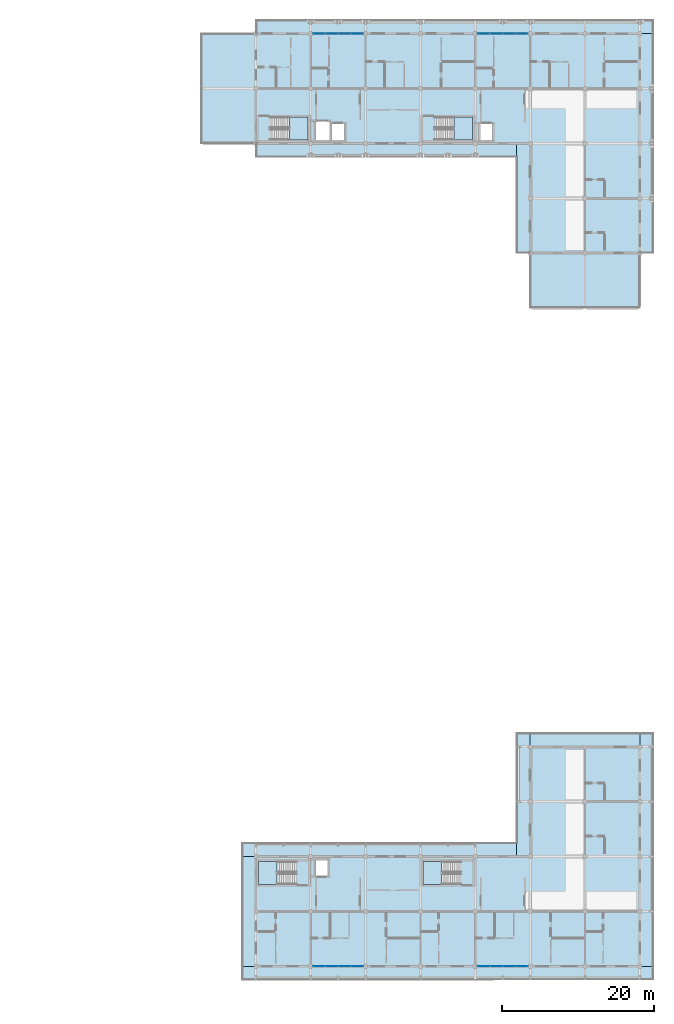
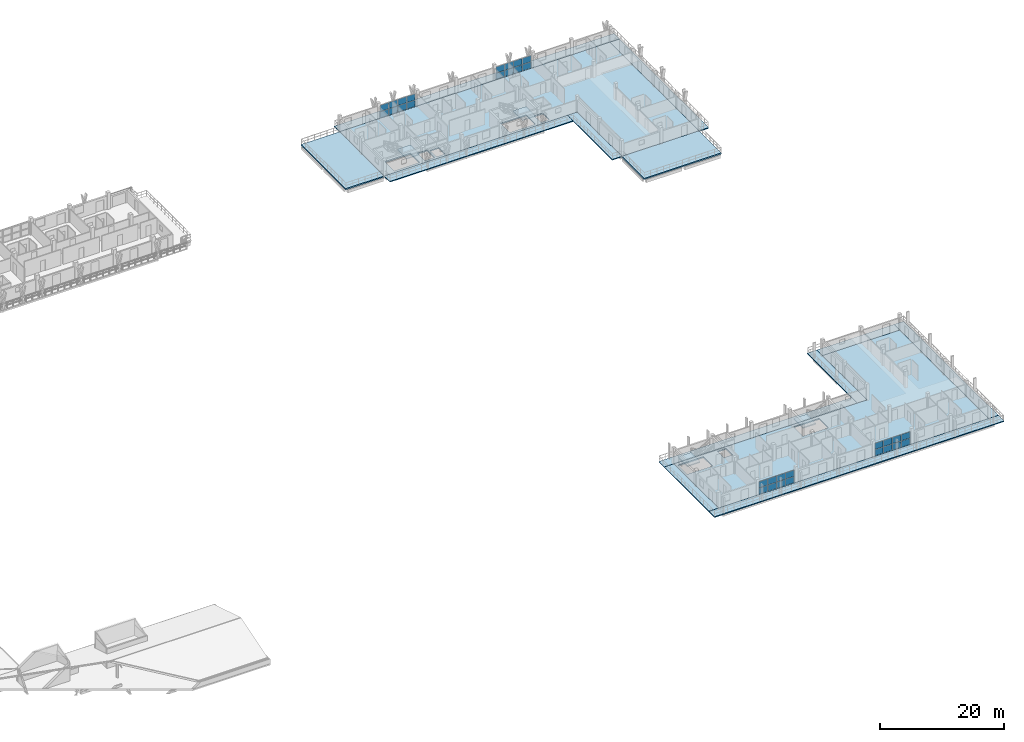
# One storey, part 31 of 60: 32 plates, 18 slabs, 8 elements without a shape of their own.
"""IFC4 building model written with IfcOpenShell, lengths in metres."""

import ifcopenshell
import ifcopenshell.guid

model = None  # the IFC model being written
_history = None  # IfcOwnerHistory: only IFC2X3 demands one
_inside = {}  # id of a spatial element -> (the spatial element, [elements in it])
_under = {}  # id of a project, library or spatial element -> (it, [spatial elements below it])
_declared = {}  # id of a project -> (the project, [libraries it declares])
_typed = {}  # id of a type object -> (the type object, [elements of that type])
_made_of = {}  # id of a material, layer set ... -> (it, [elements and type objects made of it])


def new_model(schema):
    """Start an empty IFC model of exactly this schema.

    Asked for "IFC4X3", IfcOpenShell would pick the latest addendum, in which some entities
    have other attributes; the version numbers below select the first issue.
    IFC2X3 requires an IfcOwnerHistory on every rooted entity: one is made here for all.
    """
    global model, _history
    if schema == "IFC4X3":
        model = ifcopenshell.file(schema_version=(4, 3, 0, 0))
    else:
        model = ifcopenshell.file(schema=schema)
    _inside.clear()
    _under.clear()
    _declared.clear()
    _typed.clear()
    _made_of.clear()
    _history = None
    if model.schema == "IFC2X3":
        org = make("IfcOrganization", Name="unknown")
        user = make(
            "IfcPersonAndOrganization",
            ThePerson=make("IfcPerson", FamilyName="unknown"),
            TheOrganization=org,
        )
        app = make(
            "IfcApplication",
            ApplicationDeveloper=org,
            Version="unknown",
            ApplicationFullName="unknown",
            ApplicationIdentifier="unknown",
        )
        _history = make(
            "IfcOwnerHistory",
            OwningUser=user,
            OwningApplication=app,
            ChangeAction="ADDED",
            CreationDate=0,
        )
    return model


def make(cls, **values):
    """One entity of the class cls with the attributes given. An attribute that is None is left unset."""
    return model.create_entity(
        cls, **{name: value for name, value in values.items() if value is not None}
    )


def rooted(cls, **values):
    """An entity with a GlobalId (a new one), such as an element, a storey or a relation."""
    return make(cls, GlobalId=ifcopenshell.guid.new(), OwnerHistory=_history, **values)


def si_unit(unit_type, name, prefix=None):
    """IfcSIUnit, for example si_unit("LENGTHUNIT", "METRE", prefix="MILLI")."""
    return make("IfcSIUnit", UnitType=unit_type, Prefix=prefix, Name=name)


def assignment(units):
    """IfcUnitAssignment: the units of a project."""
    return None if units is None else make("IfcUnitAssignment", Units=units)


def point(xyz):
    """IfcCartesianPoint."""
    return None if xyz is None else make("IfcCartesianPoint", Coordinates=xyz)


def direction(xyz):
    """IfcDirection."""
    return None if xyz is None else make("IfcDirection", DirectionRatios=xyz)


def frame(location, z_axis=None, x_axis=None):
    """IfcAxis2Placement3D, a coordinate frame: its origin and axes. An axis left out is left unset."""
    return make(
        "IfcAxis2Placement3D",
        Location=point(location),
        Axis=direction(z_axis),
        RefDirection=direction(x_axis),
    )


def frame_2d(location, x_axis=None):
    """IfcAxis2Placement2D, a coordinate frame in the plane: its origin and x axis."""
    return make(
        "IfcAxis2Placement2D", Location=point(location), RefDirection=direction(x_axis)
    )


def origin():
    """The frame at (0, 0, 0) with its axes left unset."""
    return frame((0.0, 0.0, 0.0))


def origin_2d():
    """The frame at (0, 0) in the plane with its x axis left unset."""
    return frame_2d((0.0, 0.0))


def place(relative_to, where):
    """IfcLocalPlacement: puts the frame where relative to a parent placement (None: the world)."""
    return make(
        "IfcLocalPlacement", PlacementRelTo=relative_to, RelativePlacement=where
    )


def context(
    kind, dimensions, precision=None, world=None, true_north=None, identifier=None
):
    """IfcGeometricRepresentationContext, for example the 3D "Model" context."""
    return make(
        "IfcGeometricRepresentationContext",
        ContextIdentifier=identifier,
        ContextType=kind,
        CoordinateSpaceDimension=dimensions,
        Precision=precision,
        WorldCoordinateSystem=world,
        TrueNorth=true_north,
    )


def subcontext(parent, identifier, kind, view, scale=None):
    """IfcGeometricRepresentationSubContext, for example "Body" below "Model"."""
    return make(
        "IfcGeometricRepresentationSubContext",
        ContextIdentifier=identifier,
        ContextType=kind,
        ParentContext=parent,
        TargetScale=scale,
        TargetView=view,
    )


def project(units=None, contexts=None):
    """IfcProject with its units and contexts."""
    return rooted(
        "IfcProject",
        Name="project",
        RepresentationContexts=contexts,
        UnitsInContext=assignment(units),
    )


def spatial(cls, under=None, at=None, **own):
    """A site, building, storey or space (cls), placed at a placement, below another one or the project."""
    s = rooted(cls, ObjectPlacement=at, **own)
    if under is not None:
        _under.setdefault(under.id(), (under, []))[1].append(s)
    return s


def polyline(points):
    """IfcPolyline through the points."""
    return make("IfcPolyline", Points=[point(p) for p in points])


def profile(cls, at=None, kind="AREA", **sizes):
    """A parametric profile (cls). Its sizes go by their IFC names, for example OverallWidth=200.0."""
    return make(cls, ProfileType=kind, Position=at, **sizes)


def rectangle(**sizes):
    """IfcRectangleProfileDef."""
    return profile("IfcRectangleProfileDef", **sizes)


def outline(outer, holes=None, kind="AREA"):
    """IfcArbitraryClosedProfileDef: a profile drawn as a closed curve; with holes, ...WithVoids."""
    if holes is None:
        return make("IfcArbitraryClosedProfileDef", ProfileType=kind, OuterCurve=outer)
    return make(
        "IfcArbitraryProfileDefWithVoids",
        ProfileType=kind,
        OuterCurve=outer,
        InnerCurves=holes,
    )


def extrude(swept, where, along, depth):
    """IfcExtrudedAreaSolid: the profile swept, set in the frame where, extruded along a direction by depth."""
    return make(
        "IfcExtrudedAreaSolid",
        SweptArea=swept,
        Position=where,
        ExtrudedDirection=direction(along),
        Depth=depth,
    )


def shape(context_of_items, identifier, shape_type, items):
    """IfcShapeRepresentation: the items that make up one representation, for example the "Body"."""
    return make(
        "IfcShapeRepresentation",
        ContextOfItems=context_of_items,
        RepresentationIdentifier=identifier,
        RepresentationType=shape_type,
        Items=items,
    )


def material(Name=None, Category=None):
    """IfcMaterial."""
    return make("IfcMaterial", Name=Name, Category=Category)


def layer(
    of_material, thickness, ventilated=None, Name=None, Category=None, Priority=None
):
    """IfcMaterialLayer: one layer of a wall or slab, of a material (None: an air gap)."""
    return make(
        "IfcMaterialLayer",
        Material=of_material,
        LayerThickness=thickness,
        IsVentilated=ventilated,
        Name=Name,
        Category=Category,
        Priority=Priority,
    )


def layer_set(layers, Name=None):
    """IfcMaterialLayerSet."""
    return make("IfcMaterialLayerSet", MaterialLayers=layers, LayerSetName=Name)


def made_of(thing, what):
    """Note that an element or type object is made of a material, layer set ...; save() writes the relation."""
    if what is not None:
        _made_of.setdefault(what.id(), (what, []))[1].append(thing)
    return thing


def type_object(cls, material=None, **own):
    """A type object (cls), such as IfcWallType, which elements share."""
    return made_of(rooted(cls, **own), material)


def element(
    cls,
    number,
    at=None,
    inside=None,
    cuts=None,
    type_object=None,
    material=None,
    context=None,
    identifier="Body",
    shape_type=None,
    held_by="IfcProductDefinitionShape",
    body=None,
    shapes=None,
    **own,
):
    """One element of the class cls, such as IfcWall. Its Tag is "e" and its number.

    at: its placement. inside: the storey or other place that contains it. cuts: it is an
    opening in that element (IfcRelVoidsElement). A single representation is given by context,
    identifier, shape_type and body (its items); several are given by shapes. held_by: the class
    of the entity that holds the representations. save() writes the other relations.
    """
    e = rooted(cls, Tag="e%d" % number, ObjectPlacement=at, **own)
    if body is not None:
        shapes = [shape(context, identifier, shape_type, body)]
    if shapes is not None:
        e.Representation = make(held_by, Representations=shapes)
    if inside is not None:
        _inside.setdefault(inside.id(), (inside, []))[1].append(e)
    if cuts is not None:
        rooted(
            "IfcRelVoidsElement", RelatingBuildingElement=cuts, RelatedOpeningElement=e
        )
    if type_object is not None:
        _typed.setdefault(type_object.id(), (type_object, []))[1].append(e)
    return made_of(e, material)


def aggregate(whole, parts):
    """IfcRelAggregates: a whole, such as a stair, and the parts it consists of."""
    return rooted("IfcRelAggregates", RelatingObject=whole, RelatedObjects=parts)


def save(model, path):
    """Write the relations noted so far, then the file.

    IfcRelAggregates (storeys below a building ...), IfcRelContainedInSpatialStructure (elements
    in a storey), IfcRelDefinesByType, IfcRelAssociatesMaterial and IfcRelDeclares: one each for
    every whole, place, type object, material and project.
    """
    for whole, parts in _under.values():
        aggregate(whole, parts)
    for where, things in _inside.values():
        rooted(
            "IfcRelContainedInSpatialStructure",
            RelatedElements=things,
            RelatingStructure=where,
        )
    for kind, things in _typed.values():
        rooted("IfcRelDefinesByType", RelatedObjects=things, RelatingType=kind)
    for what, things in _made_of.values():
        rooted("IfcRelAssociatesMaterial", RelatedObjects=things, RelatingMaterial=what)
    for by, libraries in _declared.values():
        rooted("IfcRelDeclares", RelatingContext=by, RelatedDefinitions=libraries)
    model.write(path)


model = new_model("IFC4")

# Units and contexts
model_context = context("Model", 3, precision=1e-05, world=origin(), true_north=direction((0.0, 1.0)))
body_context = subcontext(model_context, "Body", "Model", "MODEL_VIEW")
ifc_project = project(units=[si_unit("LENGTHUNIT", "METRE"), si_unit("AREAUNIT", "SQUARE_METRE"), si_unit("VOLUMEUNIT", "CUBIC_METRE"), si_unit("PLANEANGLEUNIT", "RADIAN"), si_unit("MASSUNIT", "GRAM", prefix="KILO")], contexts=[model_context])

# Site, building, storey
site_placement = place(None, origin())
site = spatial("IfcSite", under=ifc_project, at=site_placement, CompositionType="ELEMENT")
building_placement = place(site_placement, origin())
building = spatial("IfcBuilding", under=site, at=building_placement, Name="Suanplinth Sawtooth Commons", CompositionType="ELEMENT")
storey_placement = place(building_placement, frame((0.0, 0.0, 31.5)))
storey = spatial("IfcBuildingStorey", under=building, at=storey_placement, Name="L09", CompositionType="ELEMENT", Elevation=31.5)

# Curtain wall, plates
ifc_material_1 = material(Name="Anodized aluminium and low-E glazing", Category="aluminium")
curtain_wall_type = type_object("IfcCurtainWallType", Name="CW-06", PredefinedType="USERDEFINED", material=ifc_material_1)
curtain_wall_1_placement = place(storey_placement, origin())
curtain_wall_1 = element("IfcCurtainWall", 1, at=curtain_wall_1_placement, inside=storey, type_object=curtain_wall_type, Name="Curtain Wall CW-L09-B-LOUNGE-20", ObjectType="CURTAIN WALL", PredefinedType="USERDEFINED")
ifc_material_2 = material(Name="Tempered low-E double glazing", Category="glass")
ifc_layer_1 = layer(ifc_material_2, 0.028076171875, Name="Vision low-E insulated glazing unit 28mm")
ifc_layer_set_1 = layer_set([ifc_layer_1], Name="Tempered low-E double glazing")
plate_type = type_object("IfcPlateType", Name="PL-05", PredefinedType="CURTAIN_PANEL", material=ifc_layer_set_1)
plate_1_placement = place(storey_placement, frame((145.12255859375, 122.39990234375, 0.06494140625), z_axis=(0.0, 0.0, 1.0), x_axis=(1.0, 0.0, 0.0)))
plate_1 = element("IfcPlate", 2, at=plate_1_placement, type_object=plate_type, Name="CW-06 panel 1.1", PredefinedType="CURTAIN_PANEL", context=body_context, shape_type="SweptSolid", body=[
    extrude(rectangle(XDim=1.56494140625, YDim=0.028076171875, at=origin_2d()), origin(), (0.0, 0.0, 1.0), 1.217529296875),
])
plate_2_placement = place(storey_placement, frame((145.12255859375, 122.39990234375, 1.34765625), z_axis=(0.0, 0.0, 1.0), x_axis=(1.0, 0.0, 0.0)))
plate_2 = element("IfcPlate", 3, at=plate_2_placement, type_object=plate_type, Name="CW-06 panel 1.2", PredefinedType="CURTAIN_PANEL", context=body_context, shape_type="SweptSolid", body=[
    extrude(rectangle(XDim=1.56494140625, YDim=0.028076171875, at=origin_2d()), origin(), (0.0, 0.0, 1.0), 1.217529296875),
])
plate_3_placement = place(storey_placement, frame((146.768798828125, 122.39990234375, 0.06494140625), z_axis=(0.0, 0.0, 1.0), x_axis=(1.0, 0.0, 0.0)))
plate_3 = element("IfcPlate", 4, at=plate_3_placement, type_object=plate_type, Name="CW-06 panel 2.1", PredefinedType="CURTAIN_PANEL", context=body_context, shape_type="SweptSolid", body=[
    extrude(rectangle(XDim=1.597412109375, YDim=0.028076171875, at=origin_2d()), origin(), (0.0, 0.0, 1.0), 1.217529296875),
])
plate_4_placement = place(storey_placement, frame((146.768798828125, 122.39990234375, 1.34765625), z_axis=(0.0, 0.0, 1.0), x_axis=(1.0, 0.0, 0.0)))
plate_4 = element("IfcPlate", 5, at=plate_4_placement, type_object=plate_type, Name="CW-06 panel 2.2", PredefinedType="CURTAIN_PANEL", context=body_context, shape_type="SweptSolid", body=[
    extrude(rectangle(XDim=1.597412109375, YDim=0.028076171875, at=origin_2d()), origin(), (0.0, 0.0, 1.0), 1.217529296875),
])
plate_5_placement = place(storey_placement, frame((148.43115234375, 122.39990234375, 0.06494140625), z_axis=(0.0, 0.0, 1.0), x_axis=(1.0, 0.0, 0.0)))
plate_5 = element("IfcPlate", 6, at=plate_5_placement, type_object=plate_type, Name="CW-06 panel 3.1", PredefinedType="CURTAIN_PANEL", context=body_context, shape_type="SweptSolid", body=[
    extrude(rectangle(XDim=1.597412109375, YDim=0.028076171875, at=origin_2d()), origin(), (0.0, 0.0, 1.0), 1.217529296875),
])
plate_6_placement = place(storey_placement, frame((148.43115234375, 122.39990234375, 1.34765625), z_axis=(0.0, 0.0, 1.0), x_axis=(1.0, 0.0, 0.0)))
plate_6 = element("IfcPlate", 7, at=plate_6_placement, type_object=plate_type, Name="CW-06 panel 3.2", PredefinedType="CURTAIN_PANEL", context=body_context, shape_type="SweptSolid", body=[
    extrude(rectangle(XDim=1.597412109375, YDim=0.028076171875, at=origin_2d()), origin(), (0.0, 0.0, 1.0), 1.217529296875),
])
plate_7_placement = place(storey_placement, frame((150.077392578125, 122.39990234375, 0.06494140625), z_axis=(0.0, 0.0, 1.0), x_axis=(1.0, 0.0, 0.0)))
plate_7 = element("IfcPlate", 8, at=plate_7_placement, type_object=plate_type, Name="CW-06 panel 4.1", PredefinedType="CURTAIN_PANEL", context=body_context, shape_type="SweptSolid", body=[
    extrude(rectangle(XDim=1.56494140625, YDim=0.028076171875, at=origin_2d()), origin(), (0.0, 0.0, 1.0), 1.217529296875),
])
plate_8_placement = place(storey_placement, frame((150.077392578125, 122.39990234375, 1.34765625), z_axis=(0.0, 0.0, 1.0), x_axis=(1.0, 0.0, 0.0)))
plate_8 = element("IfcPlate", 9, at=plate_8_placement, type_object=plate_type, Name="CW-06 panel 4.2", PredefinedType="CURTAIN_PANEL", context=body_context, shape_type="SweptSolid", body=[
    extrude(rectangle(XDim=1.56494140625, YDim=0.028076171875, at=origin_2d()), origin(), (0.0, 0.0, 1.0), 1.217529296875),
])
aggregate(curtain_wall_1, [plate_1, plate_2, plate_3, plate_4, plate_5, plate_6, plate_7, plate_8])

curtain_wall_2_placement = place(storey_placement, origin())
curtain_wall_2 = element("IfcCurtainWall", 10, at=curtain_wall_2_placement, inside=storey, type_object=curtain_wall_type, Name="Curtain Wall CW-L09-B-LOUNGE-23", ObjectType="CURTAIN WALL", PredefinedType="USERDEFINED")
plate_9_placement = place(storey_placement, frame((166.722412109375, 122.39990234375, 0.06494140625), z_axis=(0.0, 0.0, 1.0), x_axis=(1.0, 0.0, 0.0)))
plate_9 = element("IfcPlate", 11, at=plate_9_placement, type_object=plate_type, Name="CW-06 panel 1.1", PredefinedType="CURTAIN_PANEL", context=body_context, shape_type="SweptSolid", body=[
    extrude(rectangle(XDim=1.56494140625, YDim=0.028076171875, at=origin_2d()), origin(), (0.0, 0.0, 1.0), 1.217529296875),
])
plate_10_placement = place(storey_placement, frame((166.722412109375, 122.39990234375, 1.34765625), z_axis=(0.0, 0.0, 1.0), x_axis=(1.0, 0.0, 0.0)))
plate_10 = element("IfcPlate", 12, at=plate_10_placement, type_object=plate_type, Name="CW-06 panel 1.2", PredefinedType="CURTAIN_PANEL", context=body_context, shape_type="SweptSolid", body=[
    extrude(rectangle(XDim=1.56494140625, YDim=0.028076171875, at=origin_2d()), origin(), (0.0, 0.0, 1.0), 1.217529296875),
])
plate_11_placement = place(storey_placement, frame((168.36865234375, 122.39990234375, 0.06494140625), z_axis=(0.0, 0.0, 1.0), x_axis=(1.0, 0.0, 0.0)))
plate_11 = element("IfcPlate", 13, at=plate_11_placement, type_object=plate_type, Name="CW-06 panel 2.1", PredefinedType="CURTAIN_PANEL", context=body_context, shape_type="SweptSolid", body=[
    extrude(rectangle(XDim=1.597412109375, YDim=0.028076171875, at=origin_2d()), origin(), (0.0, 0.0, 1.0), 1.217529296875),
])
plate_12_placement = place(storey_placement, frame((168.36865234375, 122.39990234375, 1.34765625), z_axis=(0.0, 0.0, 1.0), x_axis=(1.0, 0.0, 0.0)))
plate_12 = element("IfcPlate", 14, at=plate_12_placement, type_object=plate_type, Name="CW-06 panel 2.2", PredefinedType="CURTAIN_PANEL", context=body_context, shape_type="SweptSolid", body=[
    extrude(rectangle(XDim=1.597412109375, YDim=0.028076171875, at=origin_2d()), origin(), (0.0, 0.0, 1.0), 1.217529296875),
])
plate_13_placement = place(storey_placement, frame((170.03125, 122.39990234375, 0.06494140625), z_axis=(0.0, 0.0, 1.0), x_axis=(1.0, 0.0, 0.0)))
plate_13 = element("IfcPlate", 15, at=plate_13_placement, type_object=plate_type, Name="CW-06 panel 3.1", PredefinedType="CURTAIN_PANEL", context=body_context, shape_type="SweptSolid", body=[
    extrude(rectangle(XDim=1.597412109375, YDim=0.028076171875, at=origin_2d()), origin(), (0.0, 0.0, 1.0), 1.217529296875),
])
plate_14_placement = place(storey_placement, frame((170.03125, 122.39990234375, 1.34765625), z_axis=(0.0, 0.0, 1.0), x_axis=(1.0, 0.0, 0.0)))
plate_14 = element("IfcPlate", 16, at=plate_14_placement, type_object=plate_type, Name="CW-06 panel 3.2", PredefinedType="CURTAIN_PANEL", context=body_context, shape_type="SweptSolid", body=[
    extrude(rectangle(XDim=1.597412109375, YDim=0.028076171875, at=origin_2d()), origin(), (0.0, 0.0, 1.0), 1.217529296875),
])
plate_15_placement = place(storey_placement, frame((171.677490234375, 122.39990234375, 0.06494140625), z_axis=(0.0, 0.0, 1.0), x_axis=(1.0, 0.0, 0.0)))
plate_15 = element("IfcPlate", 17, at=plate_15_placement, type_object=plate_type, Name="CW-06 panel 4.1", PredefinedType="CURTAIN_PANEL", context=body_context, shape_type="SweptSolid", body=[
    extrude(rectangle(XDim=1.56494140625, YDim=0.028076171875, at=origin_2d()), origin(), (0.0, 0.0, 1.0), 1.217529296875),
])
plate_16_placement = place(storey_placement, frame((171.677490234375, 122.39990234375, 1.34765625), z_axis=(0.0, 0.0, 1.0), x_axis=(1.0, 0.0, 0.0)))
plate_16 = element("IfcPlate", 18, at=plate_16_placement, type_object=plate_type, Name="CW-06 panel 4.2", PredefinedType="CURTAIN_PANEL", context=body_context, shape_type="SweptSolid", body=[
    extrude(rectangle(XDim=1.56494140625, YDim=0.028076171875, at=origin_2d()), origin(), (0.0, 0.0, 1.0), 1.217529296875),
])
aggregate(curtain_wall_2, [plate_9, plate_10, plate_11, plate_12, plate_13, plate_14, plate_15, plate_16])

curtain_wall_3_placement = place(storey_placement, origin())
curtain_wall_3 = element("IfcCurtainWall", 19, at=curtain_wall_3_placement, inside=storey, type_object=curtain_wall_type, Name="Curtain Wall CW-L09-C-LOUNGE-20", ObjectType="CURTAIN WALL", PredefinedType="USERDEFINED")
plate_17_placement = place(storey_placement, frame((145.12255859375, 0.0, 0.06494140625), z_axis=(0.0, 0.0, 1.0), x_axis=(1.0, 0.0, 0.0)))
plate_17 = element("IfcPlate", 20, at=plate_17_placement, type_object=plate_type, Name="CW-06 panel 1.1", PredefinedType="CURTAIN_PANEL", context=body_context, shape_type="SweptSolid", body=[
    extrude(rectangle(XDim=1.56494140625, YDim=0.028076171875, at=origin_2d()), origin(), (0.0, 0.0, 1.0), 1.217529296875),
])
plate_18_placement = place(storey_placement, frame((145.12255859375, 0.0, 1.34765625), z_axis=(0.0, 0.0, 1.0), x_axis=(1.0, 0.0, 0.0)))
plate_18 = element("IfcPlate", 21, at=plate_18_placement, type_object=plate_type, Name="CW-06 panel 1.2", PredefinedType="CURTAIN_PANEL", context=body_context, shape_type="SweptSolid", body=[
    extrude(rectangle(XDim=1.56494140625, YDim=0.028076171875, at=origin_2d()), origin(), (0.0, 0.0, 1.0), 1.217529296875),
])
plate_19_placement = place(storey_placement, frame((146.768798828125, 0.0, 0.06494140625), z_axis=(0.0, 0.0, 1.0), x_axis=(1.0, 0.0, 0.0)))
plate_19 = element("IfcPlate", 22, at=plate_19_placement, type_object=plate_type, Name="CW-06 panel 2.1", PredefinedType="CURTAIN_PANEL", context=body_context, shape_type="SweptSolid", body=[
    extrude(rectangle(XDim=1.597412109375, YDim=0.028076171875, at=origin_2d()), origin(), (0.0, 0.0, 1.0), 1.217529296875),
])
plate_20_placement = place(storey_placement, frame((146.768798828125, 0.0, 1.34765625), z_axis=(0.0, 0.0, 1.0), x_axis=(1.0, 0.0, 0.0)))
plate_20 = element("IfcPlate", 23, at=plate_20_placement, type_object=plate_type, Name="CW-06 panel 2.2", PredefinedType="CURTAIN_PANEL", context=body_context, shape_type="SweptSolid", body=[
    extrude(rectangle(XDim=1.597412109375, YDim=0.028076171875, at=origin_2d()), origin(), (0.0, 0.0, 1.0), 1.217529296875),
])
plate_21_placement = place(storey_placement, frame((148.43115234375, 0.0, 0.06494140625), z_axis=(0.0, 0.0, 1.0), x_axis=(1.0, 0.0, 0.0)))
plate_21 = element("IfcPlate", 24, at=plate_21_placement, type_object=plate_type, Name="CW-06 panel 3.1", PredefinedType="CURTAIN_PANEL", context=body_context, shape_type="SweptSolid", body=[
    extrude(rectangle(XDim=1.597412109375, YDim=0.028076171875, at=origin_2d()), origin(), (0.0, 0.0, 1.0), 1.217529296875),
])
plate_22_placement = place(storey_placement, frame((148.43115234375, 0.0, 1.34765625), z_axis=(0.0, 0.0, 1.0), x_axis=(1.0, 0.0, 0.0)))
plate_22 = element("IfcPlate", 25, at=plate_22_placement, type_object=plate_type, Name="CW-06 panel 3.2", PredefinedType="CURTAIN_PANEL", context=body_context, shape_type="SweptSolid", body=[
    extrude(rectangle(XDim=1.597412109375, YDim=0.028076171875, at=origin_2d()), origin(), (0.0, 0.0, 1.0), 1.217529296875),
])
plate_23_placement = place(storey_placement, frame((150.077392578125, 0.0, 0.06494140625), z_axis=(0.0, 0.0, 1.0), x_axis=(1.0, 0.0, 0.0)))
plate_23 = element("IfcPlate", 26, at=plate_23_placement, type_object=plate_type, Name="CW-06 panel 4.1", PredefinedType="CURTAIN_PANEL", context=body_context, shape_type="SweptSolid", body=[
    extrude(rectangle(XDim=1.56494140625, YDim=0.028076171875, at=origin_2d()), origin(), (0.0, 0.0, 1.0), 1.217529296875),
])
plate_24_placement = place(storey_placement, frame((150.077392578125, 0.0, 1.34765625), z_axis=(0.0, 0.0, 1.0), x_axis=(1.0, 0.0, 0.0)))
plate_24 = element("IfcPlate", 27, at=plate_24_placement, type_object=plate_type, Name="CW-06 panel 4.2", PredefinedType="CURTAIN_PANEL", context=body_context, shape_type="SweptSolid", body=[
    extrude(rectangle(XDim=1.56494140625, YDim=0.028076171875, at=origin_2d()), origin(), (0.0, 0.0, 1.0), 1.217529296875),
])
aggregate(curtain_wall_3, [plate_17, plate_18, plate_19, plate_20, plate_21, plate_22, plate_23, plate_24])

curtain_wall_4_placement = place(storey_placement, origin())
curtain_wall_4 = element("IfcCurtainWall", 28, at=curtain_wall_4_placement, inside=storey, type_object=curtain_wall_type, Name="Curtain Wall CW-L09-C-LOUNGE-23", ObjectType="CURTAIN WALL", PredefinedType="USERDEFINED")
plate_25_placement = place(storey_placement, frame((166.722412109375, 0.0, 0.06494140625), z_axis=(0.0, 0.0, 1.0), x_axis=(1.0, 0.0, 0.0)))
plate_25 = element("IfcPlate", 29, at=plate_25_placement, type_object=plate_type, Name="CW-06 panel 1.1", PredefinedType="CURTAIN_PANEL", context=body_context, shape_type="SweptSolid", body=[
    extrude(rectangle(XDim=1.56494140625, YDim=0.028076171875, at=origin_2d()), origin(), (0.0, 0.0, 1.0), 1.217529296875),
])
plate_26_placement = place(storey_placement, frame((166.722412109375, 0.0, 1.34765625), z_axis=(0.0, 0.0, 1.0), x_axis=(1.0, 0.0, 0.0)))
plate_26 = element("IfcPlate", 30, at=plate_26_placement, type_object=plate_type, Name="CW-06 panel 1.2", PredefinedType="CURTAIN_PANEL", context=body_context, shape_type="SweptSolid", body=[
    extrude(rectangle(XDim=1.56494140625, YDim=0.028076171875, at=origin_2d()), origin(), (0.0, 0.0, 1.0), 1.217529296875),
])
plate_27_placement = place(storey_placement, frame((168.36865234375, 0.0, 0.06494140625), z_axis=(0.0, 0.0, 1.0), x_axis=(1.0, 0.0, 0.0)))
plate_27 = element("IfcPlate", 31, at=plate_27_placement, type_object=plate_type, Name="CW-06 panel 2.1", PredefinedType="CURTAIN_PANEL", context=body_context, shape_type="SweptSolid", body=[
    extrude(rectangle(XDim=1.597412109375, YDim=0.028076171875, at=origin_2d()), origin(), (0.0, 0.0, 1.0), 1.217529296875),
])
plate_28_placement = place(storey_placement, frame((168.36865234375, 0.0, 1.34765625), z_axis=(0.0, 0.0, 1.0), x_axis=(1.0, 0.0, 0.0)))
plate_28 = element("IfcPlate", 32, at=plate_28_placement, type_object=plate_type, Name="CW-06 panel 2.2", PredefinedType="CURTAIN_PANEL", context=body_context, shape_type="SweptSolid", body=[
    extrude(rectangle(XDim=1.597412109375, YDim=0.028076171875, at=origin_2d()), origin(), (0.0, 0.0, 1.0), 1.217529296875),
])
plate_29_placement = place(storey_placement, frame((170.03125, 0.0, 0.06494140625), z_axis=(0.0, 0.0, 1.0), x_axis=(1.0, 0.0, 0.0)))
plate_29 = element("IfcPlate", 33, at=plate_29_placement, type_object=plate_type, Name="CW-06 panel 3.1", PredefinedType="CURTAIN_PANEL", context=body_context, shape_type="SweptSolid", body=[
    extrude(rectangle(XDim=1.597412109375, YDim=0.028076171875, at=origin_2d()), origin(), (0.0, 0.0, 1.0), 1.217529296875),
])
plate_30_placement = place(storey_placement, frame((170.03125, 0.0, 1.34765625), z_axis=(0.0, 0.0, 1.0), x_axis=(1.0, 0.0, 0.0)))
plate_30 = element("IfcPlate", 34, at=plate_30_placement, type_object=plate_type, Name="CW-06 panel 3.2", PredefinedType="CURTAIN_PANEL", context=body_context, shape_type="SweptSolid", body=[
    extrude(rectangle(XDim=1.597412109375, YDim=0.028076171875, at=origin_2d()), origin(), (0.0, 0.0, 1.0), 1.217529296875),
])
plate_31_placement = place(storey_placement, frame((171.677490234375, 0.0, 0.06494140625), z_axis=(0.0, 0.0, 1.0), x_axis=(1.0, 0.0, 0.0)))
plate_31 = element("IfcPlate", 35, at=plate_31_placement, type_object=plate_type, Name="CW-06 panel 4.1", PredefinedType="CURTAIN_PANEL", context=body_context, shape_type="SweptSolid", body=[
    extrude(rectangle(XDim=1.56494140625, YDim=0.028076171875, at=origin_2d()), origin(), (0.0, 0.0, 1.0), 1.217529296875),
])
plate_32_placement = place(storey_placement, frame((171.677490234375, 0.0, 1.34765625), z_axis=(0.0, 0.0, 1.0), x_axis=(1.0, 0.0, 0.0)))
plate_32 = element("IfcPlate", 36, at=plate_32_placement, type_object=plate_type, Name="CW-06 panel 4.2", PredefinedType="CURTAIN_PANEL", context=body_context, shape_type="SweptSolid", body=[
    extrude(rectangle(XDim=1.56494140625, YDim=0.028076171875, at=origin_2d()), origin(), (0.0, 0.0, 1.0), 1.217529296875),
])
aggregate(curtain_wall_4, [plate_25, plate_26, plate_27, plate_28, plate_29, plate_30, plate_31, plate_32])

# Slabs
ifc_material_3 = material(Name="Precast concrete C40/50", Category="concrete")
ifc_layer_2 = layer(ifc_material_3, 0.179931640625, Name="Wrap-around cantilevered precast balcony slab 180mm")
ifc_layer_set_2 = layer_set([ifc_layer_2], Name="Precast concrete C40/50")
slab_type_1 = type_object("IfcSlabType", Name="S-BL01", PredefinedType="FLOOR", material=ifc_layer_set_2)
slab_1_placement = place(storey_placement, frame((0.0, 0.0, -0.179931640625)))
element("IfcSlab", 37, at=slab_1_placement, inside=storey, type_object=slab_type_1, Name="L09 Block B Wrap-Around Balcony N", PredefinedType="FLOOR", context=body_context, shape_type="SweptSolid", body=[
    extrude(outline(polyline([(136.800048828125, 124.199951171875), (189.0, 124.199951171875), (189.0, 122.39990234375), (136.800048828125, 122.39990234375), (136.800048828125, 124.199951171875)])), origin(), (0.0, 0.0, 1.0), 0.179931640625),
])
slab_2_placement = place(storey_placement, frame((0.0, 0.0, -0.179931640625)))
element("IfcSlab", 38, at=slab_2_placement, inside=storey, type_object=slab_type_1, Name="L09 Block B Wrap-Around Balcony E", PredefinedType="FLOOR", context=body_context, shape_type="SweptSolid", body=[
    extrude(outline(polyline([(189.0, 122.39990234375), (189.0, 93.60009765625), (187.199951171875, 93.60009765625), (187.199951171875, 122.39990234375), (189.0, 122.39990234375)])), origin(), (0.0, 0.0, 1.0), 0.179931640625),
])
slab_3_placement = place(storey_placement, frame((0.0, 0.0, -0.179931640625)))
element("IfcSlab", 39, at=slab_3_placement, inside=storey, type_object=slab_type_1, Name="L09 Block C Wrap-Around Balcony S", PredefinedType="FLOOR", context=body_context, shape_type="SweptSolid", body=[
    extrude(outline(polyline([(189.0, 0.0), (189.0, -1.800048828125), (135.0, -1.800048828125), (135.0, 0.0), (189.0, 0.0)])), origin(), (0.0, 0.0, 1.0), 0.179931640625),
])
slab_4_placement = place(storey_placement, frame((0.0, 0.0, -0.179931640625)))
element("IfcSlab", 40, at=slab_4_placement, inside=storey, type_object=slab_type_1, Name="L09 Block C Wrap-Around Balcony E", PredefinedType="FLOOR", context=body_context, shape_type="SweptSolid", body=[
    extrude(outline(polyline([(187.199951171875, 30.60009765625), (189.0, 30.60009765625), (189.0, 0.0), (187.199951171875, 0.0), (187.199951171875, 30.60009765625)])), origin(), (0.0, 0.0, 1.0), 0.179931640625),
])
slab_5_placement = place(storey_placement, frame((0.0, 0.0, -0.179931640625)))
element("IfcSlab", 41, at=slab_5_placement, inside=storey, type_object=slab_type_1, Name="L09 Block C Wrap-Around Balcony WEND", PredefinedType="FLOOR", context=body_context, shape_type="SweptSolid", body=[
    extrude(outline(polyline([(136.800048828125, 0.0), (135.0, 0.0), (135.0, 14.39990234375), (136.800048828125, 14.39990234375), (136.800048828125, 0.0)])), origin(), (0.0, 0.0, 1.0), 0.179931640625),
])
slab_6_placement = place(storey_placement, frame((0.0, 0.0, -0.179931640625)))
element("IfcSlab", 42, at=slab_6_placement, inside=storey, type_object=slab_type_1, Name="L09 Block C Wrap-Around Balcony NEND", PredefinedType="FLOOR", context=body_context, shape_type="SweptSolid", body=[
    extrude(outline(polyline([(172.800048828125, 30.60009765625), (187.199951171875, 30.60009765625), (187.199951171875, 28.800048828125), (172.800048828125, 28.800048828125), (172.800048828125, 30.60009765625)])), origin(), (0.0, 0.0, 1.0), 0.179931640625),
])
ifc_layer_3 = layer(ifc_material_3, 0.175048828125, Name="Courtyard cantilevered precast balcony slab 175mm")
ifc_layer_set_3 = layer_set([ifc_layer_3], Name="Precast concrete C40/50")
slab_type_2 = type_object("IfcSlabType", Name="S-BL02", PredefinedType="FLOOR", material=ifc_layer_set_3)
slab_7_placement = place(storey_placement, frame((0.0, 0.0, -0.175048828125)))
element("IfcSlab", 43, at=slab_7_placement, inside=storey, type_object=slab_type_2, Name="L09 Block B Wrap-Around Balcony SC", PredefinedType="FLOOR", context=body_context, shape_type="SweptSolid", body=[
    extrude(outline(polyline([(171.0, 106.199951171875), (136.800048828125, 106.199951171875), (136.800048828125, 108.0), (171.0, 108.0), (171.0, 106.199951171875)])), origin(), (0.0, 0.0, 1.0), 0.175048828125),
])
slab_8_placement = place(storey_placement, frame((0.0, 0.0, -0.175048828125)))
element("IfcSlab", 44, at=slab_8_placement, inside=storey, type_object=slab_type_2, Name="L09 Block B Wrap-Around Balcony WC", PredefinedType="FLOOR", context=body_context, shape_type="SweptSolid", body=[
    extrude(outline(polyline([(172.800048828125, 93.60009765625), (171.0, 93.60009765625), (171.0, 108.0), (172.800048828125, 108.0), (172.800048828125, 93.60009765625)])), origin(), (0.0, 0.0, 1.0), 0.175048828125),
])
slab_9_placement = place(storey_placement, frame((0.0, 0.0, -0.175048828125)))
element("IfcSlab", 45, at=slab_9_placement, inside=storey, type_object=slab_type_2, Name="L09 Block C Wrap-Around Balcony NC", PredefinedType="FLOOR", context=body_context, shape_type="SweptSolid", body=[
    extrude(outline(polyline([(135.0, 14.39990234375), (135.0, 16.199951171875), (171.0, 16.199951171875), (171.0, 14.39990234375), (135.0, 14.39990234375)])), origin(), (0.0, 0.0, 1.0), 0.175048828125),
])
slab_10_placement = place(storey_placement, frame((0.0, 0.0, -0.175048828125)))
element("IfcSlab", 46, at=slab_10_placement, inside=storey, type_object=slab_type_2, Name="L09 Block C Wrap-Around Balcony WC", PredefinedType="FLOOR", context=body_context, shape_type="SweptSolid", body=[
    extrude(outline(polyline([(172.800048828125, 14.39990234375), (171.0, 14.39990234375), (171.0, 30.60009765625), (172.800048828125, 30.60009765625), (172.800048828125, 14.39990234375)])), origin(), (0.0, 0.0, 1.0), 0.175048828125),
])
ifc_layer_4 = layer(ifc_material_3, 0.25, Name="Precast hollow-core + topping floor slab 250mm")
ifc_layer_set_4 = layer_set([ifc_layer_4], Name="Precast concrete C40/50")
slab_type_3 = type_object("IfcSlabType", Name="S-FL01", PredefinedType="FLOOR", material=ifc_layer_set_4)
slab_11_placement = place(storey_placement, frame((0.0, 0.0, -0.25)))
element("IfcSlab", 47, at=slab_11_placement, inside=storey, type_object=slab_type_3, Name="L09 Block B Structural Floor Plate", PredefinedType="FLOOR", context=body_context, shape_type="SweptSolid", body=[
    extrude(outline(polyline([(172.800048828125, 108.0), (136.800048828125, 108.0), (136.800048828125, 122.39990234375), (187.199951171875, 122.39990234375), (187.199951171875, 93.60009765625), (172.800048828125, 93.60009765625), (172.800048828125, 108.0)]), holes=[polyline([(138.889892578125, 108.449951171875), (143.64990234375, 108.449951171875), (143.64990234375, 111.449951171875), (138.889892578125, 111.449951171875), (138.889892578125, 108.449951171875)]), polyline([(144.64990234375, 108.449951171875), (146.449951171875, 108.449951171875), (146.449951171875, 110.85009765625), (144.64990234375, 110.85009765625), (144.64990234375, 108.449951171875)]), polyline([(146.800048828125, 108.449951171875), (148.39990234375, 108.449951171875), (148.39990234375, 110.550048828125), (146.800048828125, 110.550048828125), (146.800048828125, 108.449951171875)]), polyline([(160.489990234375, 108.449951171875), (165.25, 108.449951171875), (165.25, 111.449951171875), (160.489990234375, 111.449951171875), (160.489990234375, 108.449951171875)]), polyline([(166.25, 108.449951171875), (167.85009765625, 108.449951171875), (167.85009765625, 110.550048828125), (166.25, 110.550048828125), (166.25, 108.449951171875)])]), origin(), (0.0, 0.0, 1.0), 0.25),
])
slab_12_placement = place(storey_placement, frame((0.0, 0.0, -0.25)))
element("IfcSlab", 48, at=slab_12_placement, inside=storey, type_object=slab_type_3, Name="L09 Block C Structural Floor Plate", PredefinedType="FLOOR", context=body_context, shape_type="SweptSolid", body=[
    extrude(outline(polyline([(187.199951171875, 0.0), (136.800048828125, 0.0), (136.800048828125, 14.39990234375), (172.800048828125, 14.39990234375), (172.800048828125, 28.800048828125), (187.199951171875, 28.800048828125), (187.199951171875, 0.0)]), holes=[polyline([(137.14990234375, 10.75), (141.909912109375, 10.75), (141.909912109375, 13.75), (137.14990234375, 13.75), (137.14990234375, 10.75)]), polyline([(144.64990234375, 11.85009765625), (146.25, 11.85009765625), (146.25, 13.949951171875), (144.64990234375, 13.949951171875), (144.64990234375, 11.85009765625)]), polyline([(158.75, 10.75), (163.510009765625, 10.75), (163.510009765625, 13.75), (158.75, 13.75), (158.75, 10.75)])]), origin(), (0.0, 0.0, 1.0), 0.25),
])

# Stair, slab
ifc_material_4 = material(Name="Concrete C40/50", Category="concrete")
stair_type = type_object("IfcStairType", Name="ST-08", PredefinedType="USERDEFINED", material=ifc_material_4)
stair_1_placement = place(storey_placement, origin())
stair_1 = element("IfcStair", 49, at=stair_1_placement, inside=storey, type_object=stair_type, Name="L09 Exit Stair ST-E1", ObjectType="TWO_RETURN_STAIR", PredefinedType="USERDEFINED")
ifc_layer_5 = layer(ifc_material_4, 0.199951171875, Name="Reinforced concrete stair and ramp landing slab 200mm")
ifc_layer_set_5 = layer_set([ifc_layer_5], Name="Concrete C40/50")
slab_type_4 = type_object("IfcSlabType", Name="S-LD01", PredefinedType="LANDING", material=ifc_layer_set_5)
slab_13_placement = place(storey_placement, frame((0.0, 0.0, 1.449951171875)))
slab_13 = element("IfcSlab", 50, at=slab_13_placement, type_object=slab_type_4, Name="ST-08 landing 1", PredefinedType="LANDING", context=body_context, shape_type="SweptSolid", body=[
    extrude(outline(polyline([(141.215087890625, 108.449951171875), (143.64990234375, 108.449951171875), (143.64990234375, 111.449951171875), (141.215087890625, 111.449951171875), (141.215087890625, 108.449951171875)])), origin(), (0.0, 0.0, 1.0), 0.199951171875),
])
aggregate(stair_1, [slab_13])

stair_2_placement = place(storey_placement, origin())
stair_2 = element("IfcStair", 51, at=stair_2_placement, inside=storey, type_object=stair_type, Name="L09 Exit Stair ST-E2", ObjectType="TWO_RETURN_STAIR", PredefinedType="USERDEFINED")
slab_14_placement = place(storey_placement, frame((0.0, 0.0, 1.449951171875)))
slab_14 = element("IfcSlab", 52, at=slab_14_placement, type_object=slab_type_4, Name="ST-08 landing 1", PredefinedType="LANDING", context=body_context, shape_type="SweptSolid", body=[
    extrude(outline(polyline([(162.81494140625, 108.449951171875), (165.25, 108.449951171875), (165.25, 111.449951171875), (162.81494140625, 111.449951171875), (162.81494140625, 108.449951171875)])), origin(), (0.0, 0.0, 1.0), 0.199951171875),
])
aggregate(stair_2, [slab_14])

stair_3_placement = place(storey_placement, origin())
stair_3 = element("IfcStair", 53, at=stair_3_placement, inside=storey, type_object=stair_type, Name="L09 Exit Stair ST-S1", ObjectType="TWO_RETURN_STAIR", PredefinedType="USERDEFINED")
slab_15_placement = place(storey_placement, frame((0.0, 0.0, 1.449951171875)))
slab_15 = element("IfcSlab", 54, at=slab_15_placement, type_object=slab_type_4, Name="ST-08 landing 1", PredefinedType="LANDING", context=body_context, shape_type="SweptSolid", body=[
    extrude(outline(polyline([(139.5849609375, 13.75), (137.14990234375, 13.75), (137.14990234375, 10.75), (139.5849609375, 10.75), (139.5849609375, 13.75)])), origin(), (0.0, 0.0, 1.0), 0.199951171875),
])
aggregate(stair_3, [slab_15])

stair_4_placement = place(storey_placement, origin())
stair_4 = element("IfcStair", 55, at=stair_4_placement, inside=storey, type_object=stair_type, Name="L09 Exit Stair ST-S2", ObjectType="TWO_RETURN_STAIR", PredefinedType="USERDEFINED")
slab_16_placement = place(storey_placement, frame((0.0, 0.0, 1.449951171875)))
slab_16 = element("IfcSlab", 56, at=slab_16_placement, type_object=slab_type_4, Name="ST-08 landing 1", PredefinedType="LANDING", context=body_context, shape_type="SweptSolid", body=[
    extrude(outline(polyline([(161.18505859375, 13.75), (158.75, 13.75), (158.75, 10.75), (161.18505859375, 10.75), (161.18505859375, 13.75)])), origin(), (0.0, 0.0, 1.0), 0.199951171875),
])
aggregate(stair_4, [slab_16])

# Slabs
ifc_layer_6 = layer(ifc_material_4, 0.239990234375, Name="Stepped sky-terrace & courtyard garden slab 240mm")
ifc_layer_set_6 = layer_set([ifc_layer_6], Name="Concrete C40/50")
slab_type_5 = type_object("IfcSlabType", Name="S-TR01", PredefinedType="FLOOR", material=ifc_layer_set_6)
slab_17_placement = place(storey_placement, frame((0.0, 0.0, -0.239990234375)))
element("IfcSlab", 57, at=slab_17_placement, inside=storey, type_object=slab_type_5, Name="L09 Block B Stepped Sky-Terrace 1", PredefinedType="FLOOR", context=body_context, shape_type="SweptSolid", body=[
    extrude(outline(polyline([(129.60009765625, 108.0), (129.60009765625, 122.39990234375), (136.800048828125, 122.39990234375), (136.800048828125, 108.0), (129.60009765625, 108.0)])), origin(), (0.0, 0.0, 1.0), 0.239990234375),
])
slab_18_placement = place(storey_placement, frame((0.0, 0.0, -0.239990234375)))
element("IfcSlab", 58, at=slab_18_placement, inside=storey, type_object=slab_type_5, Name="L09 Block B Stepped Sky-Terrace 2", PredefinedType="FLOOR", context=body_context, shape_type="SweptSolid", body=[
    extrude(outline(polyline([(187.199951171875, 86.39990234375), (172.800048828125, 86.39990234375), (172.800048828125, 93.60009765625), (187.199951171875, 93.60009765625), (187.199951171875, 86.39990234375)])), origin(), (0.0, 0.0, 1.0), 0.239990234375),
])

save(model, "model.ifc")
